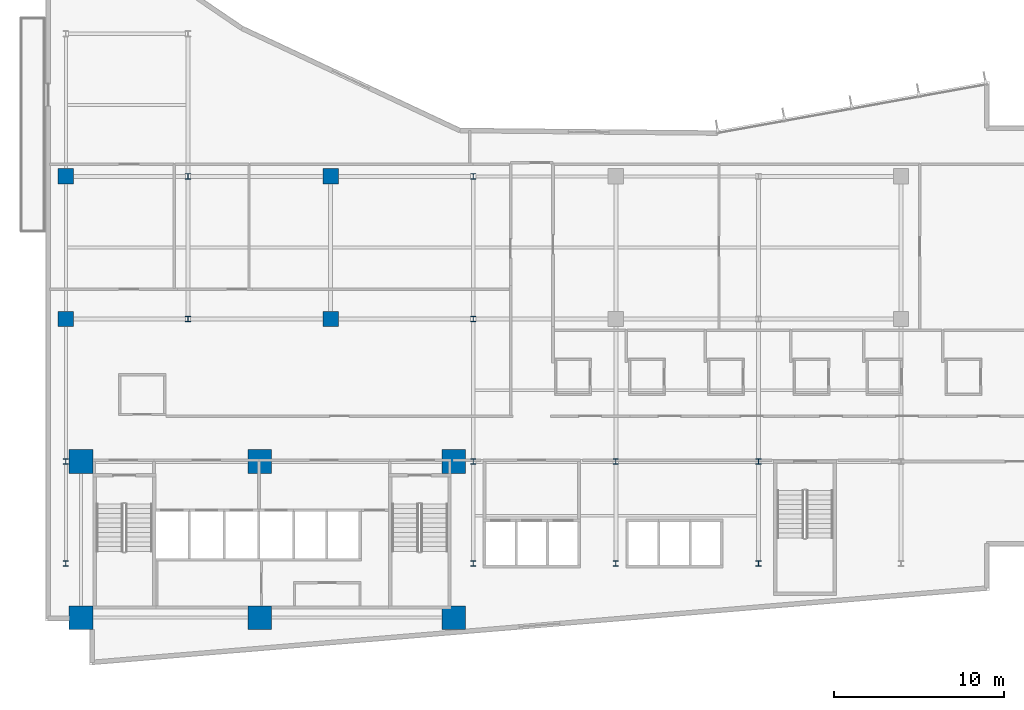
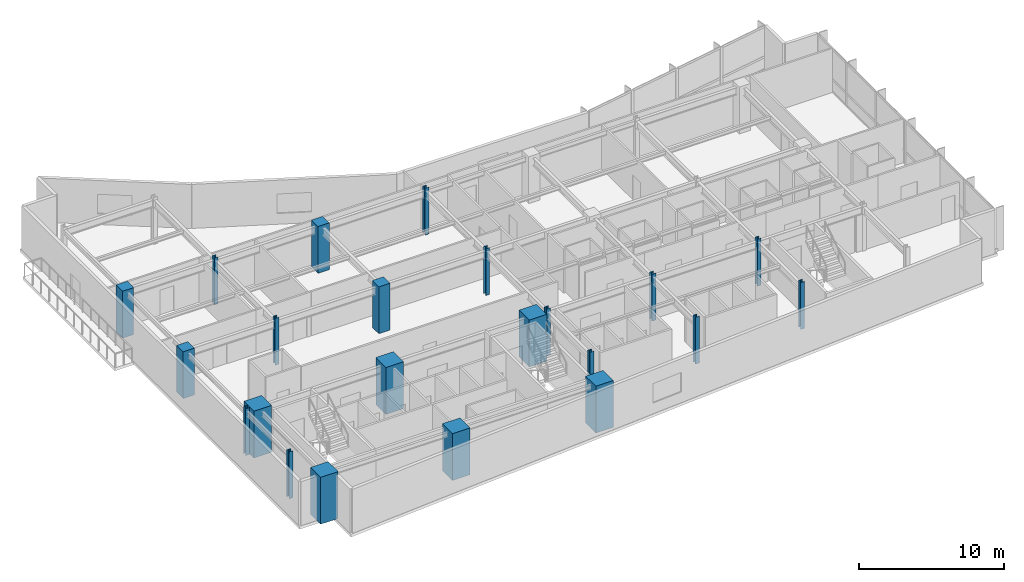
# One storey, part 1 of 20: 22 columns.
"""IFC4 building model written with IfcOpenShell, lengths in metres."""

from ifc_helpers import new_model, si_unit, direction, frame, origin, origin_2d, place, context, subcontext, project, spatial, rectangle, i_section, extrude, material, material_profile, profile_set, type_object, element, save


model = new_model("IFC4")

# Units and contexts
model_context = context("Model", 3, precision=1e-05, world=origin(), true_north=direction((0.0, 1.0)))
body_context = subcontext(model_context, "Body", "Model", "MODEL_VIEW")
ifc_project = project(units=[si_unit("LENGTHUNIT", "METRE"), si_unit("AREAUNIT", "SQUARE_METRE"), si_unit("VOLUMEUNIT", "CUBIC_METRE"), si_unit("PLANEANGLEUNIT", "RADIAN"), si_unit("MASSUNIT", "GRAM", prefix="KILO")], contexts=[model_context])

# Site, building, storey
site_placement = place(None, origin())
site = spatial("IfcSite", under=ifc_project, at=site_placement, CompositionType="ELEMENT")
building_placement = place(site_placement, origin())
building = spatial("IfcBuilding", under=site, at=building_placement, Name="Varnakote Quay Hospital", CompositionType="ELEMENT")
storey_placement = place(building_placement, frame((0.0, 0.0, 81.75)))
storey = spatial("IfcBuildingStorey", under=building, at=storey_placement, Name="L20", CompositionType="ELEMENT", Elevation=81.75)

# Columns
ifc_material_1 = material(Name="Concrete N80 (f'c 80 MPa)", Category="concrete")
ifc_material_profile_1 = material_profile(ifc_material_1, rectangle(XDim=1.39990234375, YDim=1.39990234375, at=origin_2d()), Name="RC-COL-1400x1400")
ifc_profile_set_1 = profile_set([ifc_material_profile_1], Name="Concrete N80 (f'c 80 MPa)")
column_type_1 = type_object("IfcColumnType", Name="COL-RC-1400", PredefinedType="COLUMN", material=ifc_profile_set_1)
for number, where, z_axis, x_axis, name in (
    (1, (2.10009765625, 2.800048828125, 0.0), (0.0, 0.0, 1.0), (1.0, 0.0, 0.0), "L20 Structural Column C-2-3"),
    (2, (12.6201171875, 2.800048828125, 0.0), (0.0, 0.0, 1.0), (1.0, 0.0, 0.0), "L20 Structural Column C-13-3"),
    (3, (24.050048828125, 2.800048828125, 0.0), (0.0, 0.0, 1.0), (1.0, 0.0, 0.0), "L20 Structural Column C-24-3"),
    (4, (2.10009765625, 12.0, 0.0), (0.0, 0.0, 1.0), (1.0, 0.0, 0.0), "L20 Structural Column C-2-12"),
    (5, (12.6201171875, 12.0, 0.0), (0.0, 0.0, 1.0), (1.0, 0.0, 0.0), "L20 Structural Column C-13-12"),
    (6, (24.050048828125, 12.0, 0.0), (0.0, 0.0, 1.0), (1.0, 0.0, 0.0), "L20 Structural Column C-24-12"),
):
    element("IfcColumn", number, at=place(storey_placement, frame(where, z_axis=z_axis, x_axis=x_axis)), inside=storey, type_object=column_type_1, Name=name, PredefinedType="COLUMN", context=body_context, shape_type="SweptSolid", body=[
        extrude(rectangle(XDim=1.39990234375, YDim=1.39990234375, at=origin_2d()), origin(), (0.0, 0.0, 1.0), 3.949951171875),
    ])
ifc_material_2 = material(Name="Concrete N50 (f'c 50 MPa)", Category="concrete")
ifc_material_profile_2 = material_profile(ifc_material_2, rectangle(XDim=0.89990234375, YDim=0.89990234375, at=origin_2d()), Name="RC-COL-900x900")
ifc_profile_set_2 = profile_set([ifc_material_profile_2], Name="Concrete N50 (f'c 50 MPa)")
column_type_2 = type_object("IfcColumnType", Name="COL-RC-900", PredefinedType="COLUMN", material=ifc_profile_set_2)
for number, where, z_axis, x_axis, name in (
    (7, (1.199951171875, 20.39990234375, 0.0), (0.0, 0.0, 1.0), (1.0, 0.0, 0.0), "L20 Structural Column C-1-20"),
    (8, (16.800048828125, 20.39990234375, 0.0), (0.0, 0.0, 1.0), (1.0, 0.0, 0.0), "L20 Structural Column C-17-20"),
    (9, (1.199951171875, 28.800048828125, 0.0), (0.0, 0.0, 1.0), (1.0, 0.0, 0.0), "L20 Structural Column C-1-29"),
    (10, (16.800048828125, 28.800048828125, 0.0), (0.0, 0.0, 1.0), (1.0, 0.0, 0.0), "L20 Structural Column C-17-29"),
):
    element("IfcColumn", number, at=place(storey_placement, frame(where, z_axis=z_axis, x_axis=x_axis)), inside=storey, type_object=column_type_2, Name=name, PredefinedType="COLUMN", context=body_context, shape_type="SweptSolid", body=[
        extrude(rectangle(XDim=0.89990234375, YDim=0.89990234375, at=origin_2d()), origin(), (0.0, 0.0, 1.0), 3.949951171875),
    ])
ifc_material_3 = material(Name="Structural steel AS/NZS 3679.1 Grade 350 L0 (fy 340 MPa)", Category="steel")
ifc_material_profile_3 = material_profile(ifc_material_3, i_section(OverallWidth=0.31103515625, OverallDepth=0.326904296875, WebThickness=0.015625, FlangeThickness=0.02490234375, FilletRadius=0.0166015625, at=origin_2d()), Name="310UC158")
ifc_profile_set_3 = profile_set([ifc_material_profile_3], Name="Structural steel AS/NZS 3679.1 Grade 350 L0 (fy 340 MPa)")
column_type_3 = type_object("IfcColumnType", Name="COL-STL-310UC158", PredefinedType="COLUMN", material=ifc_profile_set_3)
for number, where, z_axis, x_axis, name in (
    (11, (1.199951171875, 6.0, 0.0), (0.0, 0.0, 1.0), (1.0, 0.0, 0.0), "L20 Structural Column C-1-6"),
    (12, (25.199951171875, 6.0, 0.0), (0.0, 0.0, 1.0), (1.0, 0.0, 0.0), "L20 Structural Column C-25-6"),
    (13, (33.60009765625, 6.0, 0.0), (0.0, 0.0, 1.0), (1.0, 0.0, 0.0), "L20 Structural Column C-34-6"),
    (14, (42.0, 6.0, 0.0), (0.0, 0.0, 1.0), (1.0, 0.0, 0.0), "L20 Structural Column C-42-6"),
    (15, (1.199951171875, 12.0, 0.0), (0.0, 0.0, 1.0), (1.0, 0.0, 0.0), "L20 Structural Column C-1-12"),
    (16, (25.199951171875, 12.0, 0.0), (0.0, 0.0, 1.0), (1.0, 0.0, 0.0), "L20 Structural Column C-25-12"),
    (17, (33.60009765625, 12.0, 0.0), (0.0, 0.0, 1.0), (1.0, 0.0, 0.0), "L20 Structural Column C-34-12"),
    (18, (42.0, 12.0, 0.0), (0.0, 0.0, 1.0), (1.0, 0.0, 0.0), "L20 Structural Column C-42-12"),
    (19, (8.39990234375, 20.39990234375, 0.0), (0.0, 0.0, 1.0), (1.0, 0.0, 0.0), "L20 Structural Column C-8-20"),
    (20, (25.199951171875, 20.39990234375, 0.0), (0.0, 0.0, 1.0), (1.0, 0.0, 0.0), "L20 Structural Column C-25-20"),
    (21, (8.39990234375, 28.800048828125, 0.0), (0.0, 0.0, 1.0), (1.0, 0.0, 0.0), "L20 Structural Column C-8-29"),
    (22, (25.199951171875, 28.800048828125, 0.0), (0.0, 0.0, 1.0), (1.0, 0.0, 0.0), "L20 Structural Column C-25-29"),
):
    element("IfcColumn", number, at=place(storey_placement, frame(where, z_axis=z_axis, x_axis=x_axis)), inside=storey, type_object=column_type_3, Name=name, PredefinedType="COLUMN", context=body_context, shape_type="SweptSolid", body=[
        extrude(i_section(OverallWidth=0.31103515625, OverallDepth=0.326904296875, WebThickness=0.015625, FlangeThickness=0.02490234375, FilletRadius=0.0166015625, at=origin_2d()), origin(), (0.0, 0.0, 1.0), 3.949951171875),
    ])

save(model, "model.ifc")
